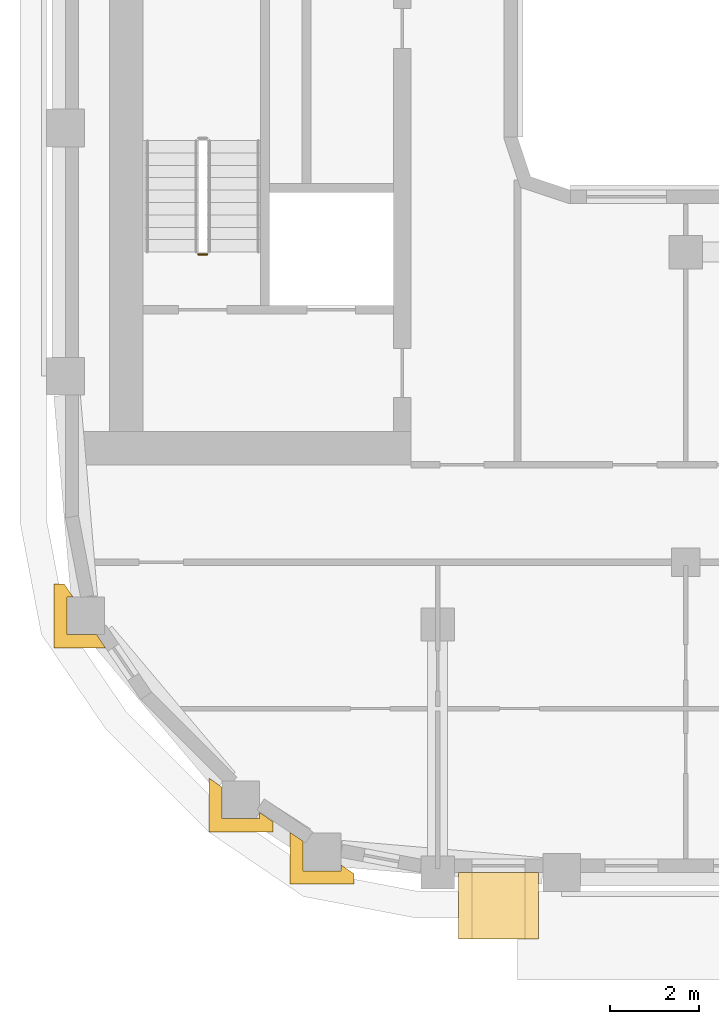
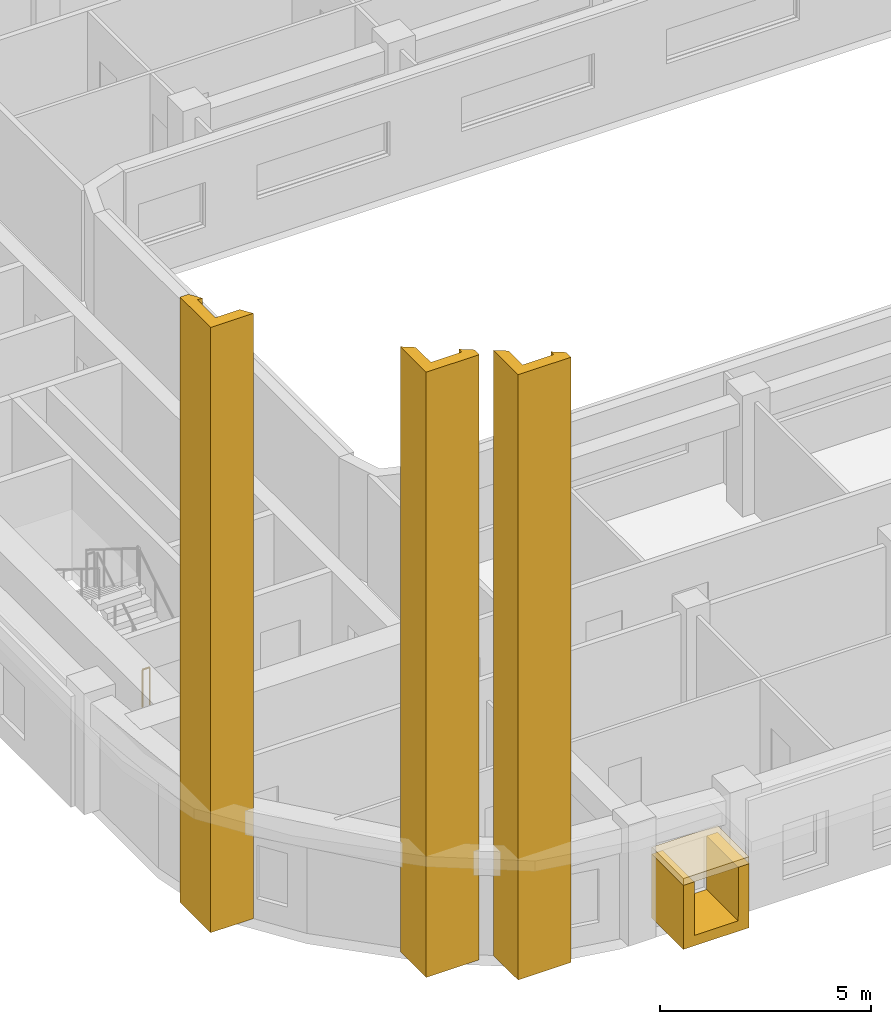
# One storey, part 10 of 21: 5 coverings, 1 railing.
"""IFC4 building model written with IfcOpenShell, lengths in metres."""

from ifc_helpers import new_model, si_unit, direction, frame, origin, origin_2d, place, context, subcontext, project, spatial, polyline, rectangle, circle, outline, extrude, material, layer, layer_set, type_object, element, save


model = new_model("IFC4")

# Units and contexts
model_context = context("Model", 3, precision=1e-05, world=origin(), true_north=direction((0.0, 1.0)))
body_context = subcontext(model_context, "Body", "Model", "MODEL_VIEW")
ifc_project = project(units=[si_unit("LENGTHUNIT", "METRE"), si_unit("AREAUNIT", "SQUARE_METRE"), si_unit("VOLUMEUNIT", "CUBIC_METRE"), si_unit("PLANEANGLEUNIT", "RADIAN"), si_unit("MASSUNIT", "GRAM", prefix="KILO")], contexts=[model_context])

# Site, building, storey
site_placement = place(None, origin())
site = spatial("IfcSite", under=ifc_project, at=site_placement, CompositionType="ELEMENT")
building_placement = place(site_placement, origin())
building = spatial("IfcBuilding", under=site, at=building_placement, Name="Kiln Ring Residences", CompositionType="ELEMENT")
storey_placement = place(building_placement, frame((0.0, 0.0, 213.39990234375)))
storey = spatial("IfcBuildingStorey", under=building, at=storey_placement, Name="L55", CompositionType="ELEMENT", Elevation=213.39990234375)

# Railing
ifc_material_1 = material(Name="Stainless steel", Category="steel")
railing_type = type_object("IfcRailingType", Name="CORE-STAIR-GUARD", PredefinedType="GUARDRAIL", material=ifc_material_1)
railing_placement = place(storey_placement, frame((-22.0, -8.449951171875, 0.0)))
element("IfcRailing", 1, at=railing_placement, inside=storey, type_object=railing_type, Name="L55 W-STS stair guard 4", PredefinedType="GUARDRAIL", context=body_context, shape_type="SweptSolid", body=[
    extrude(circle(Radius=0.02392578125, at=origin_2d()), frame((0.0, 0.0, 1.076171875), z_axis=(-1.0, 0.0, 0.0), x_axis=(0.0, -1.0, 0.0)), (0.0, 0.0, 1.0), 0.199951171875),
    extrude(circle(Radius=0.02099609375, at=origin_2d()), origin(), (0.0, 0.0, 1.0), 1.052001953125),
    extrude(circle(Radius=0.02099609375, at=origin_2d()), frame((-0.199951171875, 0.0, 0.0)), (0.0, 0.0, 1.0), 1.052001953125),
])

# Coverings
ifc_material_2 = material(Name="Brick masonry, dark clay brick", Category="masonry")
ifc_layer_1 = layer(ifc_material_2, 0.300048828125)
ifc_layer_set_1 = layer_set([ifc_layer_1], Name="FRAME CHEEKS AND SILL 1500")
covering_type_1 = type_object("IfcCoveringType", Name="FRAME CHEEKS AND SILL 1500", PredefinedType="CLADDING", material=ifc_layer_set_1)
covering_1_placement = place(storey_placement, frame((-16.324951171875, -23.14990234375, 0.300048828125), z_axis=(0.0, 0.0, 1.0), x_axis=(1.0, 0.0, 0.0)))
element("IfcCovering", 2, at=covering_1_placement, inside=storey, type_object=covering_type_1, Name="FRAME L55", PredefinedType="CLADDING", context=body_context, shape_type="SweptSolid", body=[
    extrude(outline(polyline([(0.0, 0.0), (1.800048828125, 0.0), (1.800048828125, 1.85009765625), (1.5009765625, 1.85009765625), (1.5, 0.300048828125), (0.300048828125, 0.300048828125), (0.299072265625, 1.85009765625), (0.0, 1.85009765625), (0.0, 0.0)])), frame((0.0, 0.75, 0.0), z_axis=(0.0, -1.0, 0.0), x_axis=(1.0, 0.0, 0.0)), (0.0, 0.0, 1.0), 1.5),
])
ifc_material_3 = material(Name="Brick masonry, dark clay brick", Category="masonry")
ifc_layer_2 = layer(ifc_material_3, 0.199951171875)
ifc_layer_set_2 = layer_set([ifc_layer_2], Name="FRAME HEAD 1500")
covering_type_2 = type_object("IfcCoveringType", Name="FRAME HEAD 1500", PredefinedType="CLADDING", material=ifc_layer_set_2)
covering_2_placement = place(storey_placement, frame((-15.425048828125, -23.14990234375, 2.14990234375), z_axis=(0.0, 0.0, 1.0), x_axis=(1.0, 0.0, 0.0)))
element("IfcCovering", 3, at=covering_2_placement, inside=storey, type_object=covering_type_2, Name="FRAME HEAD L55", PredefinedType="CLADDING", context=body_context, shape_type="SweptSolid", body=[
    extrude(rectangle(XDim=1.800048828125, YDim=1.5, at=origin_2d()), origin(), (0.0, 0.0, 1.0), 0.199951171875),
])
ifc_material_4 = material(Name="Brick masonry, dark clay brick", Category="masonry")
ifc_layer_3 = layer(ifc_material_4, 0.300048828125)
ifc_layer_set_3 = layer_set([ifc_layer_3], Name="PIER CLADDING 300")
covering_type_3 = type_object("IfcCoveringType", Name="PIER CLADDING 300", PredefinedType="CLADDING", material=ifc_layer_set_3)
placement = place(storey_placement, origin())
element("IfcCovering", 4, at=placement, inside=storey, type_object=covering_type_3, Name="PIER CLADDING L55-L59", PredefinedType="CLADDING", context=body_context, shape_type="SweptSolid", body=[
    extrude(outline(polyline([(-19.833740234375, -22.363037109375), (-19.833740234375, -21.697509765625), (-20.1337890625, -21.493408203125), (-20.1337890625, -22.6630859375), (-18.68359375, -22.6630859375), (-18.68359375, -22.430908203125), (-18.983642578125, -22.226806640625), (-18.983642578125, -22.363037109375), (-19.833740234375, -22.363037109375)])), origin(), (0.0, 0.0, 1.0), 17.5),
])
element("IfcCovering", 5, at=placement, inside=storey, type_object=covering_type_3, Name="PIER CLADDING L55-L59", PredefinedType="CLADDING", context=body_context, shape_type="SweptSolid", body=[
    extrude(outline(polyline([(-25.230712890625, -15.8837890625), (-25.463134765625, -15.8837890625), (-25.463134765625, -17.333740234375), (-24.29345703125, -17.333740234375), (-24.497314453125, -17.03369140625), (-25.1630859375, -17.03369140625), (-25.1630859375, -16.18359375), (-25.02685546875, -16.18359375), (-25.230712890625, -15.8837890625)])), origin(), (0.0, 0.0, 1.0), 17.5),
])
element("IfcCovering", 6, at=placement, inside=storey, type_object=covering_type_3, Name="PIER CLADDING L55-L59", PredefinedType="CLADDING", context=body_context, shape_type="SweptSolid", body=[
    extrude(outline(polyline([(-21.665283203125, -20.470947265625), (-21.965087890625, -20.26708984375), (-21.965087890625, -21.48486328125), (-20.51513671875, -21.48486328125), (-20.51513671875, -21.25244140625), (-20.815185546875, -21.048583984375), (-20.815185546875, -21.184814453125), (-21.665283203125, -21.184814453125), (-21.665283203125, -20.470947265625)])), origin(), (0.0, 0.0, 1.0), 17.5),
])

save(model, "model.ifc")
